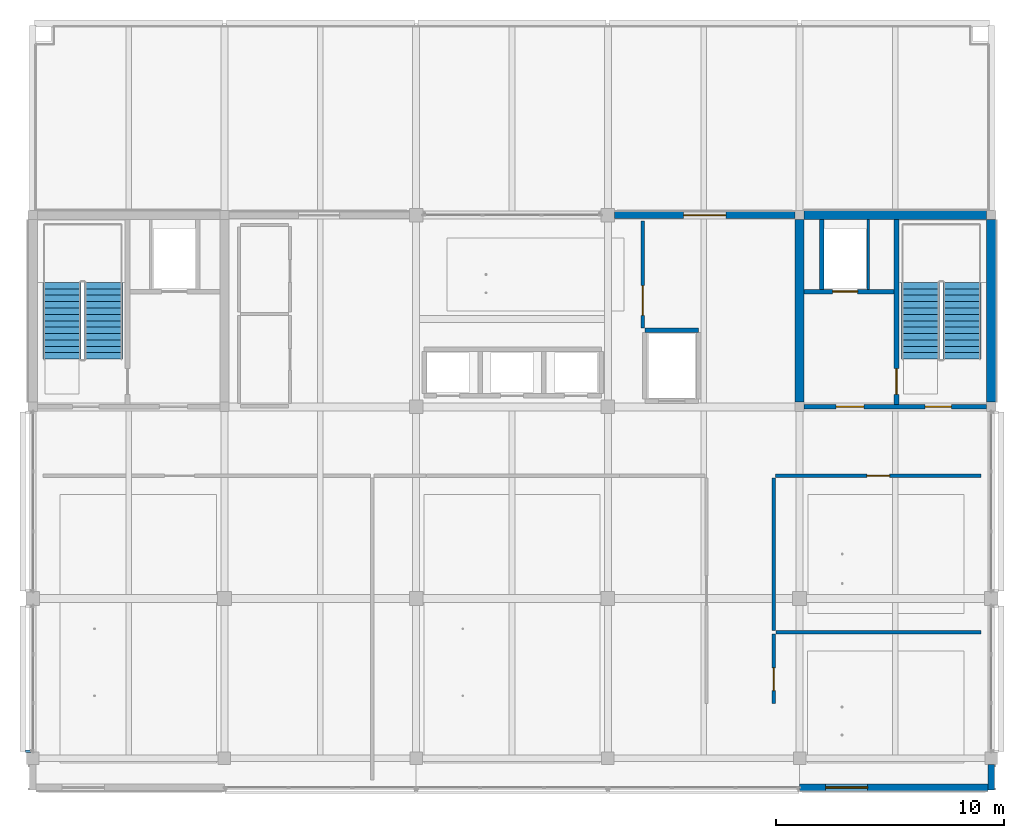
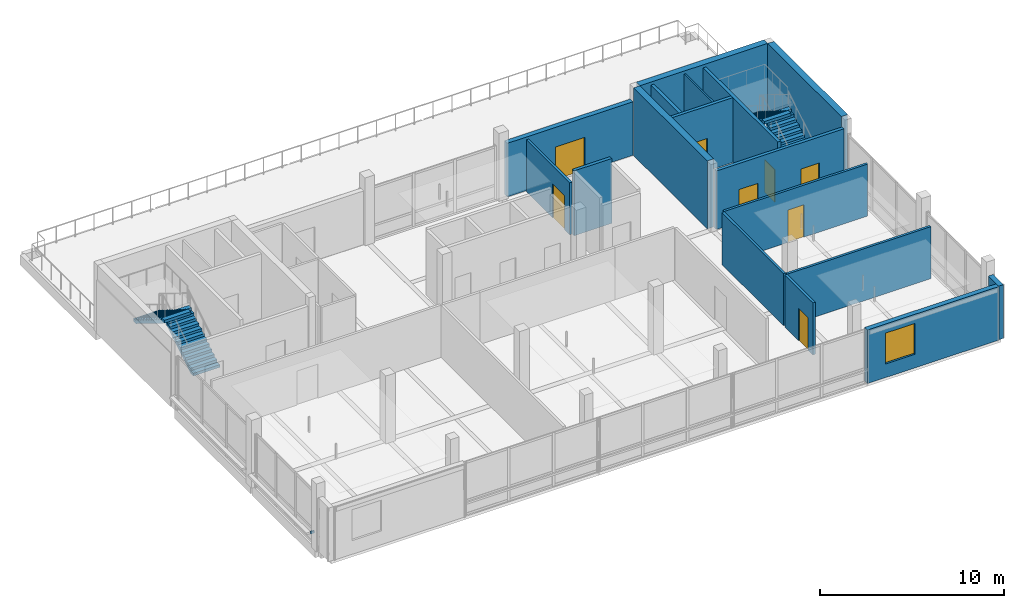
# One storey, part 9 of 25: 17 walls, 8 doors, 4 stair flights, 1 discrete accessory, 1 window, 9 openings, 2 elements without a shape of their own.
"""IFC4 building model written with IfcOpenShell, lengths in metres."""

from ifc_helpers import new_model, si_unit, direction, frame, frame_2d, origin, origin_2d, place, context, subcontext, project, spatial, polyline, rectangle, outline, extrude, material, layer, layer_set, type_object, element, fill, aggregate, save


model = new_model("IFC4")

# Units and contexts
model_context = context("Model", 3, precision=1e-05, world=origin(), true_north=direction((0.0, 1.0)))
body_context = subcontext(model_context, "Body", "Model", "MODEL_VIEW")
ifc_project = project(units=[si_unit("LENGTHUNIT", "METRE"), si_unit("AREAUNIT", "SQUARE_METRE"), si_unit("VOLUMEUNIT", "CUBIC_METRE"), si_unit("PLANEANGLEUNIT", "RADIAN"), si_unit("MASSUNIT", "GRAM", prefix="KILO")], contexts=[model_context])

# Site, building, storey
site_placement = place(None, origin())
site = spatial("IfcSite", under=ifc_project, at=site_placement, CompositionType="ELEMENT")
building_placement = place(site_placement, origin())
building = spatial("IfcBuilding", under=site, at=building_placement, Name="Telukmera Botanical Conservatory", CompositionType="ELEMENT")
storey_placement = place(building_placement, frame((0.0, 0.0, 64.5)))
storey = spatial("IfcBuildingStorey", under=building, at=storey_placement, Name="L14", CompositionType="ELEMENT", Elevation=64.5)

# Wall
ifc_material_1 = material(Name="Terracotta-faced precast concrete C40/50", Category="masonry")
ifc_layer_1 = layer(ifc_material_1, 0.300048828125)
ifc_layer_set_1 = layer_set([ifc_layer_1], Name="Terracotta-faced precast concrete C40/50")
wall_type_1 = type_object("IfcWallType", Name="Exterior Polychrome Terracotta Precast Wall 300", PredefinedType="SOLIDWALL", material=ifc_layer_set_1)
wall_1_placement = place(storey_placement, frame((100.800048828125, 9.199951171875, 0.0), z_axis=(0.0, 0.0, 1.0), x_axis=(0.0, 1.0, 0.0)))
element("IfcWall", 1, at=wall_1_placement, inside=storey, type_object=wall_type_1, Name="Exterior Precast Wall EW02 V4:L14:SEC", PredefinedType="SOLIDWALL", context=body_context, shape_type="SweptSolid", body=[
    extrude(rectangle(XDim=1.123046875, YDim=0.300048828125, at=frame_2d((0.5615234375, 0.0))), origin(), (0.0, 0.0, 1.0), 3.550048828125),
])

# Wall, opening, window
wall_2_placement = place(storey_placement, frame((92.402099609375, 9.320068359375, 0.0), z_axis=(0.0, 0.0, 1.0), x_axis=(1.0, 0.0, 0.0)))
wall_2 = element("IfcWall", 2, at=wall_2_placement, inside=storey, type_object=wall_type_1, Name="Exterior Precast Wall EW02 V4:L14:S5", PredefinedType="SOLIDWALL", context=body_context, shape_type="SweptSolid", body=[
    extrude(rectangle(XDim=8.245849609375, YDim=0.300048828125, at=frame_2d((4.123046875, 0.0))), origin(), (0.0, 0.0, 1.0), 3.550048828125),
])
opening_1_placement = place(wall_2_placement, frame((1.136474609375, 0.0, 0.89990234375)))
opening_1 = element("IfcOpeningElement", 3, at=opening_1_placement, cuts=wall_2, Name="Opening W12", PredefinedType="OPENING", context=body_context, shape_type="SweptSolid", body=[
    extrude(rectangle(XDim=1.85009765625, YDim=2.050048828125, at=frame_2d((0.925048828125, 1.02490234375))), frame((0.0, 0.159912109375, 0.0), z_axis=(0.0, -1.0, 0.0), x_axis=(1.0, 0.0, 0.0)), (0.0, 0.0, 1.0), 0.320068359375),
])
ifc_material_2 = material(Name="Thermally broken anodised aluminium frame with low-E double glazing", Category="aluminium")
window_type = type_object("IfcWindowType", Name="Double Horizontal Seminar Suite Window 1850x2050", PartitioningType="DOUBLE_PANEL_HORIZONTAL", PredefinedType="WINDOW", material=ifc_material_2)
window_placement = place(opening_1_placement, origin())
window = element("IfcWindow", 4, at=window_placement, inside=storey, type_object=window_type, Name="Facade Window W12 V4:L14:S5 1", OverallHeight=2.050048828125, OverallWidth=1.85009765625, PartitioningType="DOUBLE_PANEL_HORIZONTAL", PredefinedType="WINDOW", context=body_context, shape_type="SweptSolid", body=[
    extrude(rectangle(XDim=1.85009765625, YDim=2.050048828125, at=frame_2d((0.925048828125, 1.02490234375))), frame((0.0, 0.030029296875, 0.0), z_axis=(0.0, -1.0, 0.0), x_axis=(1.0, 0.0, 0.0)), (0.0, 0.0, 1.0), 0.06005859375),
])
fill(opening_1, window)

# Wall, opening, door
wall_3_placement = place(storey_placement, frame((84.302001953125, 34.39990234375, 0.0), z_axis=(0.0, 0.0, 1.0), x_axis=(1.0, 0.0, 0.0)))
wall_3 = element("IfcWall", 5, at=wall_3_placement, inside=storey, type_object=wall_type_1, Name="Exterior Precast Wall EW02 V4:L14:N4", PredefinedType="SOLIDWALL", context=body_context, shape_type="SweptSolid", body=[
    extrude(rectangle(XDim=7.89599609375, YDim=0.300048828125, at=frame_2d((3.947998046875, 0.0))), origin(), (0.0, 0.0, 1.0), 3.550048828125),
])
opening_2_placement = place(wall_3_placement, frame((3.02294921875, 0.0, 0.0)))
opening_2 = element("IfcOpeningElement", 6, at=opening_2_placement, cuts=wall_3, Name="Opening DT1402", PredefinedType="OPENING", context=body_context, shape_type="SweptSolid", body=[
    extrude(rectangle(XDim=1.85009765625, YDim=2.25, at=frame_2d((0.925048828125, 1.125))), frame((0.0, 0.159912109375, 0.0), z_axis=(0.0, -1.0, 0.0), x_axis=(1.0, 0.0, 0.0)), (0.0, 0.0, 1.0), 0.320068359375),
])
ifc_material_3 = material(Name="Thermally broken anodised aluminium glazed door assembly", Category="aluminium")
door_type_1 = type_object("IfcDoorType", Name="Level 14 Symposium Sky Terrace East Glazed Door 1850x2250", OperationType="NOTDEFINED", PredefinedType="DOOR", material=ifc_material_3)
door_1_placement = place(opening_2_placement, origin())
door_1 = element("IfcDoor", 7, at=door_1_placement, inside=storey, type_object=door_type_1, Name="Exterior Door DT1402", OperationType="DOUBLE_DOOR_SINGLE_SWING", OverallHeight=2.25, OverallWidth=1.85009765625, PredefinedType="DOOR", context=body_context, shape_type="SweptSolid", body=[
    extrude(rectangle(XDim=1.85009765625, YDim=2.25, at=frame_2d((0.925048828125, 1.125))), frame((0.0, 0.02490234375, 0.0), z_axis=(0.0, -1.0, 0.0), x_axis=(1.0, 0.0, 0.0)), (0.0, 0.0, 1.0), 0.050048828125),
])
fill(opening_2, door_1)

# Wall, openings, doors
ifc_material_4 = material(Name="Concrete C40/50", Category="concrete")
ifc_layer_2 = layer(ifc_material_4, 0.199951171875)
ifc_layer_set_2 = layer_set([ifc_layer_2], Name="Concrete C40/50")
wall_type_2 = type_object("IfcWallType", Name="WT-CORE-200", PredefinedType="SOLIDWALL", material=ifc_layer_set_2)
wall_4_placement = place(storey_placement, frame((92.60009765625, 26.0, 0.0), z_axis=(0.0, 0.0, 1.0), x_axis=(1.0, 0.0, 0.0)))
wall_4 = element("IfcWall", 8, at=wall_4_placement, inside=storey, type_object=wall_type_2, Name="L14 Core C2 South Fire Wall", PredefinedType="SOLIDWALL", context=body_context, shape_type="SweptSolid", body=[
    extrude(rectangle(XDim=8.0, YDim=0.199951171875, at=frame_2d((4.0, 0.0))), origin(), (0.0, 0.0, 1.0), 3.8798828125),
])
opening_3_placement = place(wall_4_placement, frame((1.39990234375, 0.0, 0.0)))
opening_3 = element("IfcOpeningElement", 9, at=opening_3_placement, cuts=wall_4, Name="Opening FD60C", PredefinedType="OPENING", context=body_context, shape_type="SweptSolid", body=[
    extrude(rectangle(XDim=1.219970703125, YDim=2.14990234375, at=frame_2d((0.60986328125, 1.074951171875))), frame((0.0, 0.10986328125, 0.0), z_axis=(0.0, -1.0, 0.0), x_axis=(1.0, 0.0, 0.0)), (0.0, 0.0, 1.0), 0.219970703125),
])
opening_4_placement = place(wall_4_placement, frame((5.300048828125, 0.0, 0.0)))
opening_4 = element("IfcOpeningElement", 10, at=opening_4_placement, cuts=wall_4, Name="Opening FD60A", PredefinedType="OPENING", context=body_context, shape_type="SweptSolid", body=[
    extrude(rectangle(XDim=1.14990234375, YDim=2.14990234375, at=frame_2d((0.574951171875, 1.074951171875))), frame((0.0, 0.10986328125, 0.0), z_axis=(0.0, -1.0, 0.0), x_axis=(1.0, 0.0, 0.0)), (0.0, 0.0, 1.0), 0.219970703125),
])
ifc_material_5 = material(Name="Hardwood fire door", Category="wood")
door_type_2 = type_object("IfcDoorType", Name="DT-FD60-01", OperationType="NOTDEFINED", PredefinedType="DOOR", material=ifc_material_5)
door_2_placement = place(opening_4_placement, origin())
door_2 = element("IfcDoor", 11, at=door_2_placement, inside=storey, type_object=door_type_2, Name="L14 Stair ST2 Escape Door", OperationType="SINGLE_SWING_RIGHT", OverallHeight=2.14990234375, OverallWidth=1.14990234375, PredefinedType="DOOR", context=body_context, shape_type="SweptSolid", body=[
    extrude(rectangle(XDim=1.14990234375, YDim=2.14990234375, at=frame_2d((0.574951171875, 1.074951171875))), frame((0.0, 0.02490234375, 0.0), z_axis=(0.0, -1.0, 0.0), x_axis=(1.0, 0.0, 0.0)), (0.0, 0.0, 1.0), 0.050048828125),
])
fill(opening_4, door_2)
door_type_3 = type_object("IfcDoorType", Name="DT-FD60-03", OperationType="NOTDEFINED", PredefinedType="DOOR", material=ifc_material_5)
door_3_placement = place(opening_3_placement, origin())
door_3 = element("IfcDoor", 12, at=door_3_placement, inside=storey, type_object=door_type_3, Name="L14 Firefighting Lobby C2 Door", OperationType="SINGLE_SWING_LEFT", OverallHeight=2.14990234375, OverallWidth=1.219970703125, PredefinedType="DOOR", context=body_context, shape_type="SweptSolid", body=[
    extrude(rectangle(XDim=1.219970703125, YDim=2.14990234375, at=frame_2d((0.60986328125, 1.074951171875))), frame((0.0, 0.02490234375, 0.0), z_axis=(0.0, -1.0, 0.0), x_axis=(1.0, 0.0, 0.0)), (0.0, 0.0, 1.0), 0.050048828125),
])
fill(opening_3, door_3)

# Wall, opening, door
wall_5_placement = place(storey_placement, frame((96.64990234375, 26.10009765625, 0.0), z_axis=(0.0, 0.0, 1.0), x_axis=(0.0, 1.0, 0.0)))
wall_5 = element("IfcWall", 13, at=wall_5_placement, inside=storey, type_object=wall_type_2, Name="L14 Core C2 Stair-Lobby Wall", PredefinedType="SOLIDWALL", context=body_context, shape_type="SweptSolid", body=[
    extrude(rectangle(XDim=8.099853515625, YDim=0.199951171875, at=frame_2d((4.0498046875, 0.0))), origin(), (0.0, 0.0, 1.0), 4.300048828125),
])
opening_5_placement = place(wall_5_placement, frame((0.449951171875, 0.0, 0.0)))
opening_5 = element("IfcOpeningElement", 14, at=opening_5_placement, cuts=wall_5, Name="Opening FD60B", PredefinedType="OPENING", context=body_context, shape_type="SweptSolid", body=[
    extrude(rectangle(XDim=1.1201171875, YDim=2.14990234375, at=frame_2d((0.56005859375, 1.074951171875))), frame((0.0, 0.10986328125, 0.0), z_axis=(0.0, -1.0, 0.0), x_axis=(1.0, 0.0, 0.0)), (0.0, 0.0, 1.0), 0.219970703125),
])
door_type_4 = type_object("IfcDoorType", Name="DT-FD60-02", OperationType="NOTDEFINED", PredefinedType="DOOR", material=ifc_material_5)
door_4_placement = place(opening_5_placement, frame((1.1201171875, 0.0, 0.0), z_axis=(0.0, 0.0, 1.0), x_axis=(-1.0, 0.0, 0.0)))
door_4 = element("IfcDoor", 15, at=door_4_placement, inside=storey, type_object=door_type_4, Name="L14 Firefighting Lobby C2 to ST2 Door", OperationType="SINGLE_SWING_LEFT", OverallHeight=2.14990234375, OverallWidth=1.1201171875, PredefinedType="DOOR", context=body_context, shape_type="SweptSolid", body=[
    extrude(rectangle(XDim=1.1201171875, YDim=2.14990234375, at=frame_2d((0.56005859375, 1.074951171875))), frame((0.0, 0.02490234375, 0.0), z_axis=(0.0, -1.0, 0.0), x_axis=(1.0, 0.0, 0.0)), (0.0, 0.0, 1.0), 0.050048828125),
])
fill(opening_5, door_4)

wall_6_placement = place(storey_placement, frame((92.60009765625, 31.050048828125, 0.0), z_axis=(0.0, 0.0, 1.0), x_axis=(1.0, 0.0, 0.0)))
wall_6 = element("IfcWall", 16, at=wall_6_placement, inside=storey, type_object=wall_type_2, Name="L14 Fire Lift FL2 Shaft Front Wall", PredefinedType="SOLIDWALL", context=body_context, shape_type="SweptSolid", body=[
    extrude(rectangle(XDim=3.949951171875, YDim=0.199951171875, at=frame_2d((1.97509765625, 0.0))), origin(), (0.0, 0.0, 1.0), 4.300048828125),
])
opening_6_placement = place(wall_6_placement, frame((1.25, 0.0, 0.0)))
opening_6 = element("IfcOpeningElement", 17, at=opening_6_placement, cuts=wall_6, Name="Opening LD01", PredefinedType="OPENING", context=body_context, shape_type="SweptSolid", body=[
    extrude(rectangle(XDim=1.10009765625, YDim=2.14990234375, at=frame_2d((0.550048828125, 1.074951171875))), frame((0.0, 0.10986328125, 0.0), z_axis=(0.0, -1.0, 0.0), x_axis=(1.0, 0.0, 0.0)), (0.0, 0.0, 1.0), 0.219970703125),
])
ifc_material_6 = material(Name="Stainless steel 316", Category="steel")
door_type_5 = type_object("IfcDoorType", Name="DT-LD01", OperationType="SLIDING_TO_LEFT", PredefinedType="DOOR", material=ifc_material_6)
door_5_placement = place(opening_6_placement, frame((1.10009765625, 0.0, 0.0), z_axis=(0.0, 0.0, 1.0), x_axis=(-1.0, 0.0, 0.0)))
door_5 = element("IfcDoor", 18, at=door_5_placement, inside=storey, type_object=door_type_5, Name="L14 Lift Landing Door FL2", OperationType="SLIDING_TO_LEFT", OverallHeight=2.14990234375, OverallWidth=1.10009765625, PredefinedType="DOOR", context=body_context, shape_type="SweptSolid", body=[
    extrude(rectangle(XDim=1.10009765625, YDim=2.14990234375, at=frame_2d((0.550048828125, 1.074951171875))), frame((0.0, 0.02490234375, 0.0), z_axis=(0.0, -1.0, 0.0), x_axis=(1.0, 0.0, 0.0)), (0.0, 0.0, 1.0), 0.050048828125),
])
fill(opening_6, door_5)

# Walls
wall_7_placement = place(storey_placement, frame((93.3798828125, 31.14990234375, 0.0), z_axis=(0.0, 0.0, 1.0), x_axis=(0.0, 1.0, 0.0)))
element("IfcWall", 19, at=wall_7_placement, inside=storey, type_object=wall_type_2, Name="L14 Fire Lift FL2 Shaft West Wall", PredefinedType="SOLIDWALL", context=body_context, shape_type="SweptSolid", body=[
    extrude(rectangle(XDim=3.050048828125, YDim=0.199951171875, at=frame_2d((1.52490234375, 0.0))), origin(), (0.0, 0.0, 1.0), 4.300048828125),
])
wall_8_placement = place(storey_placement, frame((85.6201171875, 29.35009765625, 0.0), z_axis=(0.0, 0.0, 1.0), x_axis=(1.0, 0.0, 0.0)))
element("IfcWall", 20, at=wall_8_placement, inside=storey, type_object=wall_type_2, Name="L14 Goods Lift GL1 Rear Wall", PredefinedType="SOLIDWALL", context=body_context, shape_type="SweptSolid", body=[
    extrude(rectangle(XDim=2.35986328125, YDim=0.199951171875, at=frame_2d((1.179931640625, 0.0))), origin(), (0.0, 0.0, 1.0), 4.300048828125),
])
ifc_material_7 = material(Name="Gypsum shaftwall liner")
ifc_layer_3 = layer(ifc_material_7, 0.110107421875)
ifc_layer_set_3 = layer_set([ifc_layer_3], Name="Gypsum shaftwall liner")
wall_type_3 = type_object("IfcWallType", Name="WT-RISER-110", PredefinedType="PARTITIONING", material=ifc_layer_set_3)
wall_9_placement = place(storey_placement, frame((95.419921875, 31.14990234375, 0.0), z_axis=(0.0, 0.0, 1.0), x_axis=(0.0, 1.0, 0.0)))
element("IfcWall", 21, at=wall_9_placement, inside=storey, type_object=wall_type_3, Name="L14 Wet Riser C2 Shaft Wall", PredefinedType="PARTITIONING", context=body_context, shape_type="SweptSolid", body=[
    extrude(rectangle(XDim=3.050048828125, YDim=0.110107421875, at=frame_2d((1.52490234375, 0.0))), origin(), (0.0, 0.0, 1.0), 4.300048828125),
])

# Wall, opening, door
ifc_material_8 = material(Name="Gypsum acoustic stud partition")
ifc_layer_4 = layer(ifc_material_8, 0.14990234375)
ifc_layer_set_4 = layer_set([ifc_layer_4], Name="Gypsum acoustic stud partition")
wall_type_4 = type_object("IfcWallType", Name="WT-STD-150", PredefinedType="PARTITIONING", material=ifc_layer_set_4)
wall_10_placement = place(storey_placement, frame((85.52490234375, 29.449951171875, 0.0), z_axis=(0.0, 0.0, 1.0), x_axis=(0.0, 1.0, 0.0)))
wall_10 = element("IfcWall", 22, at=wall_10_placement, inside=storey, type_object=wall_type_4, Name="L14 Interior Partition 05", PredefinedType="PARTITIONING", context=body_context, shape_type="SweptSolid", body=[
    extrude(rectangle(XDim=4.699951171875, YDim=0.14990234375, at=frame_2d((2.35009765625, 0.0))), origin(), (0.0, 0.0, 1.0), 3.449951171875),
])
opening_7_placement = place(wall_10_placement, frame((0.555419921875, 0.0, 0.0)))
opening_7 = element("IfcOpeningElement", 23, at=opening_7_placement, cuts=wall_10, Name="Opening ID07", PredefinedType="OPENING", context=body_context, shape_type="SweptSolid", body=[
    extrude(rectangle(XDim=1.300048828125, YDim=2.25, at=frame_2d((0.64990234375, 1.125))), frame((0.0, 0.0849609375, 0.0), z_axis=(0.0, -1.0, 0.0), x_axis=(1.0, 0.0, 0.0)), (0.0, 0.0, 1.0), 0.169921875),
])
ifc_material_9 = material(Name="Acoustic timber seminar door", Category="wood")
door_type_6 = type_object("IfcDoorType", Name="DT-SEM-130", OperationType="NOTDEFINED", PredefinedType="DOOR", material=ifc_material_9)
door_6_placement = place(opening_7_placement, origin())
door_6 = element("IfcDoor", 24, at=door_6_placement, inside=storey, type_object=door_type_6, Name="L14 Symposium Interpretation Studio Door", OperationType="SINGLE_SWING_LEFT", OverallHeight=2.25, OverallWidth=1.300048828125, PredefinedType="DOOR", context=body_context, shape_type="SweptSolid", body=[
    extrude(rectangle(XDim=1.300048828125, YDim=2.25, at=frame_2d((0.64990234375, 1.125))), frame((0.0, 0.02490234375, 0.0), z_axis=(0.0, -1.0, 0.0), x_axis=(1.0, 0.0, 0.0)), (0.0, 0.0, 1.0), 0.050048828125),
])
fill(opening_7, door_6)

wall_11_placement = place(storey_placement, frame((91.35009765625, 22.97509765625, 0.0), z_axis=(0.0, 0.0, 1.0), x_axis=(1.0, 0.0, 0.0)))
wall_11 = element("IfcWall", 25, at=wall_11_placement, inside=storey, type_object=wall_type_4, Name="L14 Interior Partition 10", PredefinedType="PARTITIONING", context=body_context, shape_type="SweptSolid", body=[
    extrude(rectangle(XDim=9.0, YDim=0.14990234375, at=frame_2d((4.5, 0.0))), origin(), (0.0, 0.0, 1.0), 3.449951171875),
])
opening_8_placement = place(wall_11_placement, frame((4.0, 0.0, 0.0)))
opening_8 = element("IfcOpeningElement", 26, at=opening_8_placement, cuts=wall_11, Name="Opening ID14", PredefinedType="OPENING", context=body_context, shape_type="SweptSolid", body=[
    extrude(rectangle(XDim=1.0, YDim=2.14990234375, at=frame_2d((0.5, 1.074951171875))), frame((0.0, 0.0849609375, 0.0), z_axis=(0.0, -1.0, 0.0), x_axis=(1.0, 0.0, 0.0)), (0.0, 0.0, 1.0), 0.169921875),
])
ifc_material_10 = material(Name="Acoustic timber office door", Category="wood")
door_type_7 = type_object("IfcDoorType", Name="DT-WRT-100", OperationType="NOTDEFINED", PredefinedType="DOOR", material=ifc_material_10)
door_7_placement = place(opening_8_placement, frame((1.0, 0.0, 0.0), z_axis=(0.0, 0.0, 1.0), x_axis=(-1.0, 0.0, 0.0)))
door_7 = element("IfcDoor", 27, at=door_7_placement, inside=storey, type_object=door_type_7, Name="L14 Visiting Fellows Studio Door", OperationType="SINGLE_SWING_RIGHT", OverallHeight=2.14990234375, OverallWidth=1.0, PredefinedType="DOOR", context=body_context, shape_type="SweptSolid", body=[
    extrude(rectangle(XDim=1.0, YDim=2.14990234375, at=frame_2d((0.5, 1.074951171875))), frame((0.0, 0.02490234375, 0.0), z_axis=(0.0, -1.0, 0.0), x_axis=(1.0, 0.0, 0.0)), (0.0, 0.0, 1.0), 0.050048828125),
])
fill(opening_8, door_7)

# Wall
wall_12_placement = place(storey_placement, frame((91.27490234375, 16.199951171875, 0.0), z_axis=(0.0, 0.0, 1.0), x_axis=(0.0, 1.0, 0.0)))
element("IfcWall", 28, at=wall_12_placement, inside=storey, type_object=wall_type_4, Name="L14 Interior Partition 12", PredefinedType="PARTITIONING", context=body_context, shape_type="SweptSolid", body=[
    extrude(rectangle(XDim=6.68994140625, YDim=0.14990234375, at=frame_2d((3.344970703125, 0.0))), origin(), (0.0, 0.0, 1.0), 3.449951171875),
])

# Wall, opening, door
wall_13_placement = place(storey_placement, frame((91.27490234375, 13.0, 0.0), z_axis=(0.0, 0.0, 1.0), x_axis=(0.0, 1.0, 0.0)))
wall_13 = element("IfcWall", 29, at=wall_13_placement, inside=storey, type_object=wall_type_4, Name="L14 Interior Partition 13", PredefinedType="PARTITIONING", context=body_context, shape_type="SweptSolid", body=[
    extrude(rectangle(XDim=3.050048828125, YDim=0.14990234375, at=frame_2d((1.52490234375, 0.0))), origin(), (0.0, 0.0, 1.0), 3.449951171875),
])
opening_9_placement = place(wall_13_placement, frame((0.56005859375, 0.0, 0.0)))
opening_9 = element("IfcOpeningElement", 30, at=opening_9_placement, cuts=wall_13, Name="Opening ID14", PredefinedType="OPENING", context=body_context, shape_type="SweptSolid", body=[
    extrude(rectangle(XDim=1.0, YDim=2.14990234375, at=frame_2d((0.5, 1.074951171875))), frame((0.0, 0.0849609375, 0.0), z_axis=(0.0, -1.0, 0.0), x_axis=(1.0, 0.0, 0.0)), (0.0, 0.0, 1.0), 0.169921875),
])
door_8_placement = place(opening_9_placement, frame((1.0, 0.0, 0.0), z_axis=(0.0, 0.0, 1.0), x_axis=(-1.0, 0.0, 0.0)))
door_8 = element("IfcDoor", 31, at=door_8_placement, inside=storey, type_object=door_type_7, Name="L14 Botanical Director Research Suite Door", OperationType="SINGLE_SWING_LEFT", OverallHeight=2.14990234375, OverallWidth=1.0, PredefinedType="DOOR", context=body_context, shape_type="SweptSolid", body=[
    extrude(rectangle(XDim=1.0, YDim=2.14990234375, at=frame_2d((0.5, 1.074951171875))), frame((0.0, 0.02490234375, 0.0), z_axis=(0.0, -1.0, 0.0), x_axis=(1.0, 0.0, 0.0)), (0.0, 0.0, 1.0), 0.050048828125),
])
fill(opening_9, door_8)

# Walls
wall_14_placement = place(storey_placement, frame((91.360107421875, 16.125, 0.0), z_axis=(0.0, 0.0, 1.0), x_axis=(1.0, 0.0, 0.0)))
element("IfcWall", 32, at=wall_14_placement, inside=storey, type_object=wall_type_4, Name="L14 Interior Partition 15", PredefinedType="PARTITIONING", context=body_context, shape_type="SweptSolid", body=[
    extrude(rectangle(XDim=8.989990234375, YDim=0.14990234375, at=frame_2d((4.4951171875, 0.0))), origin(), (0.0, 0.0, 1.0), 3.449951171875),
])
ifc_material_11 = material(Name="Concrete C50/60", Category="concrete")
ifc_layer_5 = layer(ifc_material_11, 0.39990234375)
ifc_layer_set_5 = layer_set([ifc_layer_5], Name="Concrete C50/60")
wall_type_5 = type_object("IfcWallType", Name="Wall_CW1", PredefinedType="SHEAR", material=ifc_layer_set_5)
for number, where, z_axis, x_axis, name in (
    (33, (92.39990234375, 26.199951171875, 0.0), (0.0, 0.0, 1.0), (0.0, 1.0, 0.0), "Core C2 Shear Wall West L14"),
    (34, (100.800048828125, 26.199951171875, 0.0), (0.0, 0.0, 1.0), (0.0, 1.0, 0.0), "Core C2 Shear Wall East L14"),
    (35, (92.60009765625, 34.39990234375, 0.0), (0.0, 0.0, 1.0), (1.0, 0.0, 0.0), "Core C2 Shear Wall North L14"),
):
    element("IfcWall", number, at=place(storey_placement, frame(where, z_axis=z_axis, x_axis=x_axis)), inside=storey, type_object=wall_type_5, Name=name, PredefinedType="SHEAR", context=body_context, shape_type="SweptSolid", body=[
        extrude(rectangle(XDim=8.0, YDim=0.39990234375, at=frame_2d((4.0, 0.0))), origin(), (0.0, 0.0, 1.0), 4.5),
    ])

# Stair, stair flights
stair_type = type_object("IfcStairType", Name="ST-ESC-4500", PredefinedType="HALF_TURN_STAIR", material=ifc_material_4)
stair_1_placement = place(storey_placement, origin())
stair_1 = element("IfcStair", 36, at=stair_1_placement, inside=storey, type_object=stair_type, Name="L14 Protected Escape Stair ST1", PredefinedType="HALF_TURN_STAIR")
stair_flight_type = type_object("IfcStairFlightType", Name="SF-ESC-4500", PredefinedType="STRAIGHT", material=ifc_material_4)
stair_flight_1_placement = place(storey_placement, frame((61.89990234375, 28.090087890625, 0.0), z_axis=(0.0, 0.0, 1.0), x_axis=(0.0, 1.0, 0.0)))
stair_flight_1 = element("IfcStairFlight", 37, at=stair_flight_1_placement, type_object=stair_flight_type, Name="ST1 flight 1", NumberOfRisers=13, NumberOfTreads=12, PredefinedType="STRAIGHT", RiserHeight=0.173076923, TreadLength=0.28, context=body_context, shape_type="SweptSolid", body=[
    extrude(outline(polyline([(0.0, 0.0), (0.0, 0.173095703125), (0.280029296875, 0.173095703125), (0.280029296875, 0.34619140625), (0.56005859375, 0.34619140625), (0.56005859375, 0.519287109375), (0.840087890625, 0.519287109375), (0.840087890625, 0.6923828125), (1.1201171875, 0.6923828125), (1.1201171875, 0.865478515625), (1.39990234375, 0.865478515625), (1.39990234375, 1.03857421875), (1.679931640625, 1.03857421875), (1.679931640625, 1.21142578125), (1.9599609375, 1.21142578125), (1.9599609375, 1.384521484375), (2.239990234375, 1.384521484375), (2.239990234375, 1.5576171875), (2.52001953125, 1.5576171875), (2.52001953125, 1.730712890625), (2.800048828125, 1.730712890625), (2.800048828125, 1.90380859375), (3.080078125, 1.90380859375), (3.080078125, 2.076904296875), (3.360107421875, 2.076904296875), (3.360107421875, 2.25), (3.360107421875, 1.888916015625), (0.30419921875, 0.0), (0.0, 0.0)])), frame((0.0, 0.830078125, 0.0), z_axis=(0.0, -1.0, 0.0), x_axis=(1.0, 0.0, 0.0)), (0.0, 0.0, 1.0), 1.659912109375),
])
stair_flight_2_placement = place(storey_placement, frame((60.080078125, 31.449951171875, 2.25), z_axis=(0.0, 0.0, 1.0), x_axis=(0.0, -1.0, 0.0)))
stair_flight_2 = element("IfcStairFlight", 38, at=stair_flight_2_placement, type_object=stair_flight_type, Name="ST1 flight 2", NumberOfRisers=13, NumberOfTreads=12, PredefinedType="STRAIGHT", RiserHeight=0.173076923, TreadLength=0.28, context=body_context, shape_type="SweptSolid", body=[
    extrude(outline(polyline([(0.0, 0.0), (0.0, 0.173095703125), (0.280029296875, 0.173095703125), (0.280029296875, 0.34619140625), (0.56005859375, 0.34619140625), (0.56005859375, 0.519287109375), (0.840087890625, 0.519287109375), (0.840087890625, 0.6923828125), (1.1201171875, 0.6923828125), (1.1201171875, 0.865478515625), (1.39990234375, 0.865478515625), (1.39990234375, 1.03857421875), (1.679931640625, 1.03857421875), (1.679931640625, 1.21142578125), (1.9599609375, 1.21142578125), (1.9599609375, 1.384521484375), (2.239990234375, 1.384521484375), (2.239990234375, 1.5576171875), (2.52001953125, 1.5576171875), (2.52001953125, 1.730712890625), (2.800048828125, 1.730712890625), (2.800048828125, 1.90380859375), (3.080078125, 1.90380859375), (3.080078125, 2.076904296875), (3.360107421875, 2.076904296875), (3.360107421875, 2.25), (3.360107421875, 1.888916015625), (0.30419921875, 0.0), (0.0, 0.0)])), frame((0.0, 0.830078125, 0.0), z_axis=(0.0, -1.0, 0.0), x_axis=(1.0, 0.0, 0.0)), (0.0, 0.0, 1.0), 1.659912109375),
])
aggregate(stair_1, [stair_flight_1, stair_flight_2])

stair_2_placement = place(storey_placement, origin())
stair_2 = element("IfcStair", 39, at=stair_2_placement, inside=storey, type_object=stair_type, Name="L14 Protected Escape Stair ST2", PredefinedType="HALF_TURN_STAIR")
stair_flight_3_placement = place(storey_placement, frame((99.52001953125, 28.090087890625, 0.0), z_axis=(0.0, 0.0, 1.0), x_axis=(0.0, 1.0, 0.0)))
stair_flight_3 = element("IfcStairFlight", 40, at=stair_flight_3_placement, type_object=stair_flight_type, Name="ST2 flight 1", NumberOfRisers=13, NumberOfTreads=12, PredefinedType="STRAIGHT", RiserHeight=0.173076923, TreadLength=0.28, context=body_context, shape_type="SweptSolid", body=[
    extrude(outline(polyline([(0.0, 0.0), (0.0, 0.173095703125), (0.280029296875, 0.173095703125), (0.280029296875, 0.34619140625), (0.56005859375, 0.34619140625), (0.56005859375, 0.519287109375), (0.840087890625, 0.519287109375), (0.840087890625, 0.6923828125), (1.1201171875, 0.6923828125), (1.1201171875, 0.865478515625), (1.39990234375, 0.865478515625), (1.39990234375, 1.03857421875), (1.679931640625, 1.03857421875), (1.679931640625, 1.21142578125), (1.9599609375, 1.21142578125), (1.9599609375, 1.384521484375), (2.239990234375, 1.384521484375), (2.239990234375, 1.5576171875), (2.52001953125, 1.5576171875), (2.52001953125, 1.730712890625), (2.800048828125, 1.730712890625), (2.800048828125, 1.90380859375), (3.080078125, 1.90380859375), (3.080078125, 2.076904296875), (3.360107421875, 2.076904296875), (3.360107421875, 2.25), (3.360107421875, 1.888916015625), (0.30419921875, 0.0), (0.0, 0.0)])), frame((0.0, 0.830078125, 0.0), z_axis=(0.0, -1.0, 0.0), x_axis=(1.0, 0.0, 0.0)), (0.0, 0.0, 1.0), 1.659912109375),
])
stair_flight_4_placement = place(storey_placement, frame((97.699951171875, 31.449951171875, 2.25), z_axis=(0.0, 0.0, 1.0), x_axis=(0.0, -1.0, 0.0)))
stair_flight_4 = element("IfcStairFlight", 41, at=stair_flight_4_placement, type_object=stair_flight_type, Name="ST2 flight 2", NumberOfRisers=13, NumberOfTreads=12, PredefinedType="STRAIGHT", RiserHeight=0.173076923, TreadLength=0.28, context=body_context, shape_type="SweptSolid", body=[
    extrude(outline(polyline([(0.0, 0.0), (0.0, 0.173095703125), (0.280029296875, 0.173095703125), (0.280029296875, 0.34619140625), (0.56005859375, 0.34619140625), (0.56005859375, 0.519287109375), (0.840087890625, 0.519287109375), (0.840087890625, 0.6923828125), (1.1201171875, 0.6923828125), (1.1201171875, 0.865478515625), (1.39990234375, 0.865478515625), (1.39990234375, 1.03857421875), (1.679931640625, 1.03857421875), (1.679931640625, 1.21142578125), (1.9599609375, 1.21142578125), (1.9599609375, 1.384521484375), (2.239990234375, 1.384521484375), (2.239990234375, 1.5576171875), (2.52001953125, 1.5576171875), (2.52001953125, 1.730712890625), (2.800048828125, 1.730712890625), (2.800048828125, 1.90380859375), (3.080078125, 1.90380859375), (3.080078125, 2.076904296875), (3.360107421875, 2.076904296875), (3.360107421875, 2.25), (3.360107421875, 1.888916015625), (0.30419921875, 0.0), (0.0, 0.0)])), frame((0.0, 0.830078125, 0.0), z_axis=(0.0, -1.0, 0.0), x_axis=(1.0, 0.0, 0.0)), (0.0, 0.0, 1.0), 1.659912109375),
])
aggregate(stair_2, [stair_flight_3, stair_flight_4])

# Discrete accessory
ifc_material_12 = material(Name="Steel S355", Category="steel")
discrete_accessory_type = type_object("IfcDiscreteAccessoryType", Name="Structural Steel Facade Outrigger Fin Bracket", PredefinedType="BRACKET", material=ifc_material_12)
discrete_accessory_placement = place(storey_placement, frame((58.60009765625, 10.909423828125, 0.8798828125), z_axis=(0.0, 0.0, 1.0), x_axis=(0.0, 1.0, 0.0)))
element("IfcDiscreteAccessory", 42, at=discrete_accessory_placement, inside=storey, type_object=discrete_accessory_type, Name="Facade Outrigger Bracket V4:L14:W1 A", PredefinedType="BRACKET", context=body_context, shape_type="SweptSolid", body=[
    extrude(rectangle(XDim=0.10009765625, YDim=0.239990234375, at=origin_2d()), origin(), (0.0, 0.0, 1.0), 0.139892578125),
])

save(model, "model.ifc")
